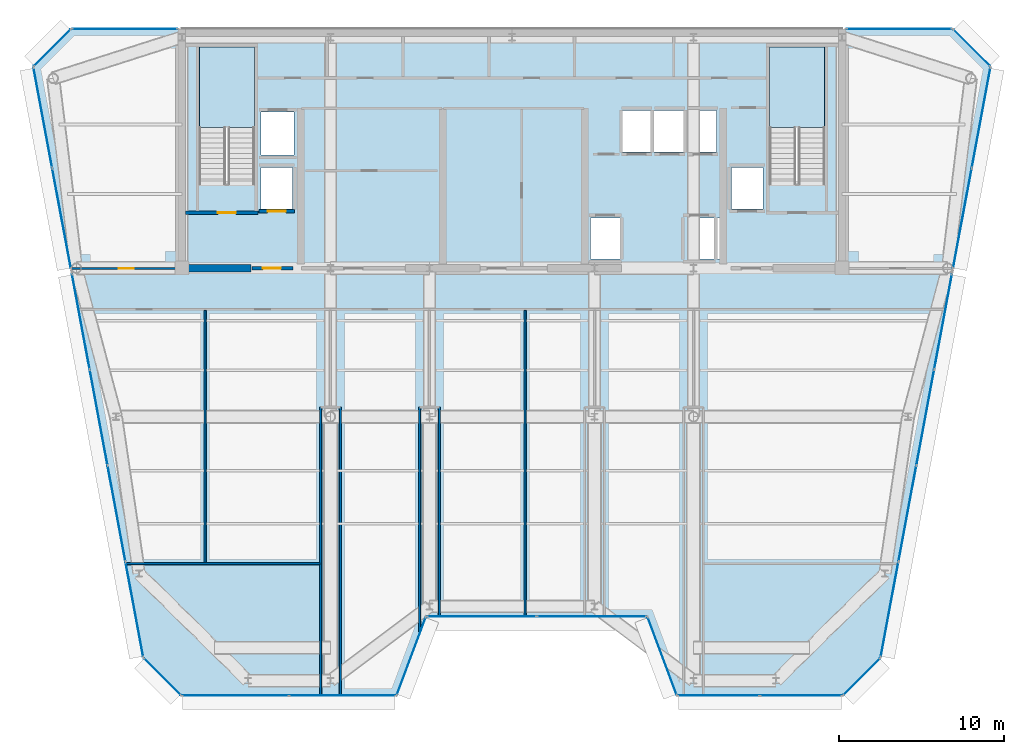
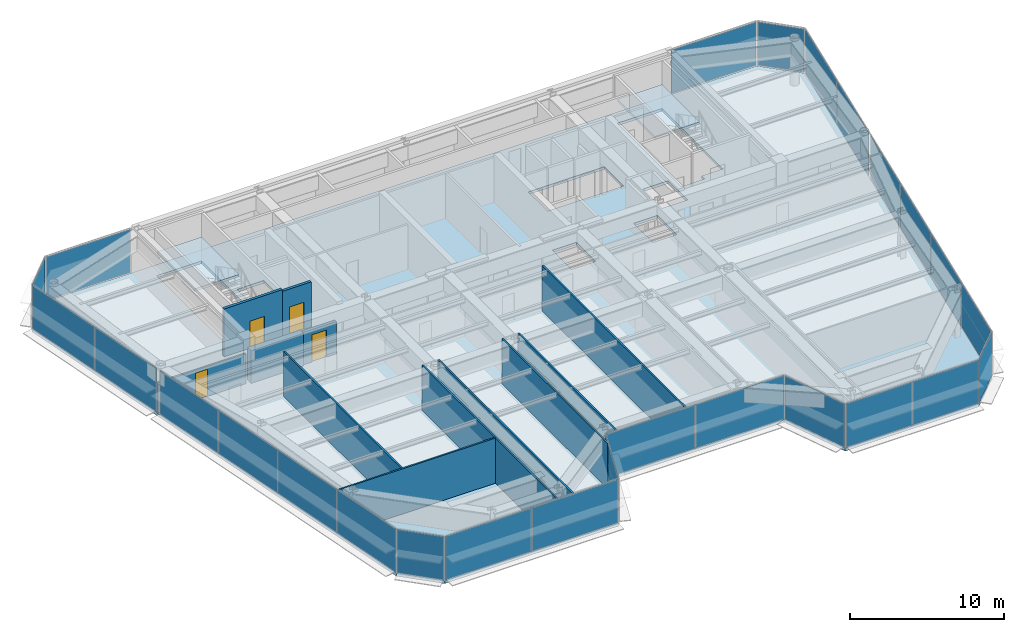
# One storey, part 9 of 18: 26 plates, 12 walls, 4 doors, 3 slabs, 4 openings, 17 elements without a shape of their own.
"""IFC4 building model written with IfcOpenShell, lengths in metres."""

from ifc_helpers import new_model, si_unit, direction, frame, frame_2d, origin, origin_2d, place, context, subcontext, project, spatial, polyline, rectangle, outline, extrude, source, transform, mapped, material, layer, layer_set, type_object, element, fill, aggregate, save


model = new_model("IFC4")

# Units and contexts
model_context = context("Model", 3, precision=1e-05, world=origin(), true_north=direction((0.0, 1.0)))
body_context = subcontext(model_context, "Body", "Model", "MODEL_VIEW")
ifc_project = project(units=[si_unit("LENGTHUNIT", "METRE"), si_unit("AREAUNIT", "SQUARE_METRE"), si_unit("VOLUMEUNIT", "CUBIC_METRE"), si_unit("PLANEANGLEUNIT", "RADIAN"), si_unit("MASSUNIT", "GRAM", prefix="KILO")], contexts=[model_context])

# Site, building, storey
site_placement = place(None, origin())
site = spatial("IfcSite", under=ifc_project, at=site_placement, CompositionType="ELEMENT")
building_placement = place(site_placement, origin())
building = spatial("IfcBuilding", under=site, at=building_placement, Name="Vaeldorn Concourse Tower", CompositionType="ELEMENT")
storey_placement = place(building_placement, frame((0.0, 0.0, 265.0)))
storey = spatial("IfcBuildingStorey", under=building, at=storey_placement, Name="L68", CompositionType="ELEMENT", Elevation=265.0)

# Stair, slab
ifc_material_1 = material(Name="Precast concrete C40/50", Category="concrete")
stair_type = type_object("IfcStairType", Name="STR-DOG-24x158", PredefinedType="HALF_TURN_STAIR", material=ifc_material_1)
stair_1_placement = place(storey_placement, origin())
stair_1 = element("IfcStair", 1, at=stair_1_placement, inside=storey, type_object=stair_type, Name="L68 West Core Exit Stair ST-1", PredefinedType="HALF_TURN_STAIR")
ifc_material_2 = material(Name="Concrete C40/50", Category="concrete")
ifc_layer_1 = layer(ifc_material_2, 0.199951171875)
ifc_layer_set_1 = layer_set([ifc_layer_1], Name="Concrete C40/50")
slab_type_1 = type_object("IfcSlabType", Name="SL-STAIR-LANDING", PredefinedType="LANDING", material=ifc_layer_set_1)
slab_1_placement = place(storey_placement, frame((0.0, 0.0, 1.699951171875)))
slab_1 = element("IfcSlab", 2, at=slab_1_placement, type_object=slab_type_1, Name="ST-1 landing 1", PredefinedType="LANDING", context=body_context, shape_type="SweptSolid", body=[
    extrude(outline(polyline([(18.39990234375, 45.010009765625), (18.39990234375, 49.89990234375), (15.050048828125, 49.89990234375), (15.050048828125, 45.010009765625), (18.39990234375, 45.010009765625)])), origin(), (0.0, 0.0, 1.0), 0.199951171875),
])
aggregate(stair_1, [slab_1])

stair_2_placement = place(storey_placement, origin())
stair_2 = element("IfcStair", 3, at=stair_2_placement, inside=storey, type_object=stair_type, Name="L68 East Core Exit Stair ST-2", PredefinedType="HALF_TURN_STAIR")
slab_2_placement = place(storey_placement, frame((0.0, 0.0, 1.699951171875)))
slab_2 = element("IfcSlab", 4, at=slab_2_placement, type_object=slab_type_1, Name="ST-2 landing 1", PredefinedType="LANDING", context=body_context, shape_type="SweptSolid", body=[
    extrude(outline(polyline([(52.949951171875, 45.010009765625), (52.949951171875, 49.89990234375), (49.60009765625, 49.89990234375), (49.60009765625, 45.010009765625), (52.949951171875, 45.010009765625)])), origin(), (0.0, 0.0, 1.0), 0.199951171875),
])
aggregate(stair_2, [slab_2])

# Slab
ifc_layer_2 = layer(ifc_material_2, 0.219970703125)
ifc_layer_set_2 = layer_set([ifc_layer_2], Name="Concrete C40/50")
slab_type_2 = type_object("IfcSlabType", Name="SL-TYP-220", PredefinedType="FLOOR", material=ifc_layer_set_2)
slab_3_placement = place(storey_placement, frame((0.0, 0.0, -0.219970703125)))
element("IfcSlab", 5, at=slab_3_placement, inside=storey, type_object=slab_type_2, Name="Structural Floor Slab L68", PredefinedType="FLOOR", context=body_context, shape_type="SweptSolid", body=[
    extrude(outline(polyline([(13.966064453125, 10.60009765625), (27.0, 10.60009765625), (28.800048828125, 15.39990234375), (42.199951171875, 15.39990234375), (44.0, 10.60009765625), (54.033935546875, 10.60009765625), (56.333984375, 12.89990234375), (63.0, 48.699951171875), (60.699951171875, 51.0), (7.300048828125, 51.0), (5.0, 48.699951171875), (11.666015625, 12.89990234375), (13.966064453125, 10.60009765625)]), holes=[polyline([(18.39990234375, 42.0), (18.39990234375, 49.89990234375), (15.050048828125, 49.89990234375), (15.050048828125, 41.60009765625), (16.800048828125, 41.60009765625), (16.800048828125, 42.0), (18.39990234375, 42.0)]), polyline([(52.949951171875, 42.0), (52.949951171875, 49.89990234375), (49.60009765625, 49.89990234375), (49.60009765625, 41.60009765625), (51.35009765625, 41.60009765625), (51.35009765625, 42.0), (52.949951171875, 42.0)]), polyline([(38.75, 37.050048828125), (40.550048828125, 37.050048828125), (40.550048828125, 39.550048828125), (38.75, 39.550048828125), (38.75, 37.050048828125)]), polyline([(44.85009765625, 37.050048828125), (46.64990234375, 37.050048828125), (46.64990234375, 39.550048828125), (44.85009765625, 39.550048828125), (44.85009765625, 37.050048828125)]), polyline([(40.699951171875, 43.550048828125), (46.39990234375, 43.550048828125), (46.39990234375, 46.050048828125), (40.699951171875, 46.050048828125), (40.699951171875, 43.550048828125)]), polyline([(18.800048828125, 43.35009765625), (20.800048828125, 43.35009765625), (20.800048828125, 45.949951171875), (18.800048828125, 45.949951171875), (18.800048828125, 43.35009765625)]), polyline([(18.800048828125, 40.10009765625), (20.699951171875, 40.10009765625), (20.699951171875, 42.60009765625), (18.800048828125, 42.60009765625), (18.800048828125, 40.10009765625)]), polyline([(47.300048828125, 40.10009765625), (49.199951171875, 40.10009765625), (49.199951171875, 42.60009765625), (47.300048828125, 42.60009765625), (47.300048828125, 40.10009765625)])]), origin(), (0.0, 0.0, 1.0), 0.219970703125),
])

# Curtain wall, plate
ifc_material_3 = material(Name="Anodised Bronze Aluminium", Category="aluminium")
ifc_layer_3 = layer(ifc_material_3, 0.179931640625)
ifc_layer_set_3 = layer_set([ifc_layer_3], Name="Anodised Bronze Aluminium")
curtain_wall_type = type_object("IfcCurtainWallType", Name="CW-SYS-05", PredefinedType="NOTDEFINED", material=ifc_layer_set_3)
curtain_wall_1_placement = place(storey_placement, origin())
curtain_wall_1 = element("IfcCurtainWall", 6, at=curtain_wall_1_placement, inside=storey, type_object=curtain_wall_type, Name="Unitised Curtain Wall CW-L68-E02-1", PredefinedType="NOTDEFINED")
ifc_material_4 = material(Name="Bronze Tinted Low-E Insulated Glass", Category="glass")
ifc_layer_4 = layer(ifc_material_4, 0.031982421875)
ifc_layer_set_4 = layer_set([ifc_layer_4], Name="Bronze Tinted Low-E Insulated Glass")
plate_type = type_object("IfcPlateType", Name="CWP-VISION-32", PredefinedType="CURTAIN_PANEL", material=ifc_layer_set_4)
shared_shape_1 = source(origin(), body_context, "Body", "SweptSolid", [
    extrude(rectangle(XDim=4.996337890625, YDim=0.031982421875, at=origin_2d()), origin(), (0.0, 0.0, 1.0), 3.449951171875),
])
plate_1_placement = place(storey_placement, frame((27.89990234375, 13.0, 0.06494140625), z_axis=(0.0, 0.0, 1.0), x_axis=(0.351123441595, 0.936329177566, 0.0)))
plate_1 = element("IfcPlate", 7, at=plate_1_placement, type_object=plate_type, Name="CW-05 panel 1.1", PredefinedType="CURTAIN_PANEL", context=body_context, shape_type="MappedRepresentation", body=[
    mapped(shared_shape_1, transform((0.0, 0.0, 0.0), scale=1.0)),
])
aggregate(curtain_wall_1, [plate_1])

curtain_wall_2_placement = place(storey_placement, origin())
curtain_wall_2 = element("IfcCurtainWall", 8, at=curtain_wall_2_placement, inside=storey, type_object=curtain_wall_type, Name="Unitised Curtain Wall CW-L68-E04-1", PredefinedType="NOTDEFINED")
plate_2_placement = place(storey_placement, frame((43.10009765625, 13.0, 0.06494140625), z_axis=(0.0, 0.0, 1.0), x_axis=(0.351123441595, -0.936329177566, 0.0)))
plate_2 = element("IfcPlate", 9, at=plate_2_placement, type_object=plate_type, Name="CW-05 panel 1.1", PredefinedType="CURTAIN_PANEL", context=body_context, shape_type="MappedRepresentation", body=[
    mapped(shared_shape_1, transform((0.0, 0.0, 0.0), scale=1.0)),
])
aggregate(curtain_wall_2, [plate_2])

# Curtain wall, plates
curtain_wall_3_placement = place(storey_placement, origin())
curtain_wall_3 = element("IfcCurtainWall", 10, at=curtain_wall_3_placement, inside=storey, type_object=curtain_wall_type, Name="Unitised Curtain Wall CW-L68-E03-1", PredefinedType="NOTDEFINED")
shared_shape_2 = source(origin(), body_context, "Body", "SweptSolid", [
    extrude(rectangle(XDim=6.6025390625, YDim=0.031982421875, at=origin_2d()), origin(), (0.0, 0.0, 1.0), 3.449951171875),
])
plate_3_placement = place(storey_placement, frame((32.166259765625, 15.39990234375, 0.06494140625), z_axis=(0.0, 0.0, 1.0), x_axis=(1.0, 0.0, 0.0)))
plate_3 = element("IfcPlate", 11, at=plate_3_placement, type_object=plate_type, Name="CW-05 panel 1.1", PredefinedType="CURTAIN_PANEL", context=body_context, shape_type="MappedRepresentation", body=[
    mapped(shared_shape_2, transform((0.0, 0.0, 0.0), scale=1.0)),
])
plate_4_placement = place(storey_placement, frame((38.833740234375, 15.39990234375, 0.06494140625), z_axis=(0.0, 0.0, 1.0), x_axis=(1.0, 0.0, 0.0)))
plate_4 = element("IfcPlate", 12, at=plate_4_placement, type_object=plate_type, Name="CW-05 panel 2.1", PredefinedType="CURTAIN_PANEL", context=body_context, shape_type="MappedRepresentation", body=[
    mapped(shared_shape_2, transform((0.0, 0.0, 0.0), scale=1.0)),
])
aggregate(curtain_wall_3, [plate_3, plate_4])

# Curtain wall, plate
curtain_wall_4_placement = place(storey_placement, origin())
curtain_wall_4 = element("IfcCurtainWall", 13, at=curtain_wall_4_placement, inside=storey, type_object=curtain_wall_type, Name="Unitised Curtain Wall CW-L68-E06-1", PredefinedType="NOTDEFINED")
shared_shape_3 = source(origin(), body_context, "Body", "SweptSolid", [
    extrude(rectangle(XDim=3.122802734375, YDim=0.031982421875, at=origin_2d()), origin(), (0.0, 0.0, 1.0), 3.449951171875),
])
plate_5_placement = place(storey_placement, frame((55.18408203125, 11.75, 0.06494140625), z_axis=(0.0, 0.0, 1.0), x_axis=(0.707106781187, 0.707106781187, 0.0)))
plate_5 = element("IfcPlate", 14, at=plate_5_placement, type_object=plate_type, Name="CW-05 panel 1.1", PredefinedType="CURTAIN_PANEL", context=body_context, shape_type="MappedRepresentation", body=[
    mapped(shared_shape_3, transform((0.0, 0.0, 0.0), scale=1.0)),
])
aggregate(curtain_wall_4, [plate_5])

curtain_wall_5_placement = place(storey_placement, origin())
curtain_wall_5 = element("IfcCurtainWall", 15, at=curtain_wall_5_placement, inside=storey, type_object=curtain_wall_type, Name="Unitised Curtain Wall CW-L68-E08-1", PredefinedType="NOTDEFINED")
plate_6_placement = place(storey_placement, frame((61.85009765625, 49.85009765625, 0.06494140625), z_axis=(0.0, 0.0, 1.0), x_axis=(-0.707106781187, 0.707106781187, 0.0)))
plate_6 = element("IfcPlate", 16, at=plate_6_placement, type_object=plate_type, Name="CW-05 panel 1.1", PredefinedType="CURTAIN_PANEL", context=body_context, shape_type="MappedRepresentation", body=[
    mapped(shared_shape_3, transform((0.0, 0.0, 0.0), scale=1.0)),
])
aggregate(curtain_wall_5, [plate_6])

curtain_wall_6_placement = place(storey_placement, origin())
curtain_wall_6 = element("IfcCurtainWall", 17, at=curtain_wall_6_placement, inside=storey, type_object=curtain_wall_type, Name="Unitised Curtain Wall CW-L68-E10-1", PredefinedType="NOTDEFINED")
plate_7_placement = place(storey_placement, frame((6.14990234375, 49.85009765625, 0.06494140625), z_axis=(0.0, 0.0, 1.0), x_axis=(-0.707106781187, -0.707106781187, 0.0)))
plate_7 = element("IfcPlate", 18, at=plate_7_placement, type_object=plate_type, Name="CW-05 panel 1.1", PredefinedType="CURTAIN_PANEL", context=body_context, shape_type="MappedRepresentation", body=[
    mapped(shared_shape_3, transform((0.0, 0.0, 0.0), scale=1.0)),
])
aggregate(curtain_wall_6, [plate_7])

curtain_wall_7_placement = place(storey_placement, origin())
curtain_wall_7 = element("IfcCurtainWall", 19, at=curtain_wall_7_placement, inside=storey, type_object=curtain_wall_type, Name="Unitised Curtain Wall CW-L68-E12-1", PredefinedType="NOTDEFINED")
plate_8_placement = place(storey_placement, frame((12.81591796875, 11.75, 0.06494140625), z_axis=(0.0, 0.0, 1.0), x_axis=(0.707106781187, -0.707106781187, 0.0)))
plate_8 = element("IfcPlate", 20, at=plate_8_placement, type_object=plate_type, Name="CW-05 panel 1.1", PredefinedType="CURTAIN_PANEL", context=body_context, shape_type="MappedRepresentation", body=[
    mapped(shared_shape_3, transform((0.0, 0.0, 0.0), scale=1.0)),
])
aggregate(curtain_wall_7, [plate_8])

# Curtain wall, plates
curtain_wall_8_placement = place(storey_placement, origin())
curtain_wall_8 = element("IfcCurtainWall", 21, at=curtain_wall_8_placement, inside=storey, type_object=curtain_wall_type, Name="Unitised Curtain Wall CW-L68-E07-1", PredefinedType="NOTDEFINED")
shared_shape_4 = source(origin(), body_context, "Body", "SweptSolid", [
    extrude(rectangle(XDim=5.82373046875, YDim=0.031982421875, at=origin_2d()), origin(), (0.0, 0.0, 1.0), 3.449951171875),
])
plate_9_placement = place(storey_placement, frame((56.87890625, 15.82666015625, 0.06494140625), z_axis=(0.0, 0.0, 1.0), x_axis=(0.18305510739, 0.983102653673, 0.0)))
plate_9 = element("IfcPlate", 22, at=plate_9_placement, type_object=plate_type, Name="CW-05 panel 1.1", PredefinedType="CURTAIN_PANEL", context=body_context, shape_type="MappedRepresentation", body=[
    mapped(shared_shape_4, transform((0.0, 0.0, 0.0), scale=1.0)),
])
plate_10_placement = place(storey_placement, frame((60.124755859375, 33.25830078125, 0.06494140625), z_axis=(0.0, 0.0, 1.0), x_axis=(0.18305510739, 0.983102653673, 0.0)))
plate_10 = element("IfcPlate", 23, at=plate_10_placement, type_object=plate_type, Name="CW-05 panel 4.1", PredefinedType="CURTAIN_PANEL", context=body_context, shape_type="MappedRepresentation", body=[
    mapped(shared_shape_4, transform((0.0, 0.0, 0.0), scale=1.0)),
])

curtain_wall_9_placement = place(storey_placement, origin())
curtain_wall_9 = element("IfcCurtainWall", 24, at=curtain_wall_9_placement, inside=storey, type_object=curtain_wall_type, Name="Unitised Curtain Wall CW-L68-E11-2", PredefinedType="NOTDEFINED")
plate_11_placement = place(storey_placement, frame((7.875244140625, 33.25830078125, 0.06494140625), z_axis=(0.0, 0.0, 1.0), x_axis=(0.18305510739, -0.983102653673, 0.0)))
plate_11 = element("IfcPlate", 25, at=plate_11_placement, type_object=plate_type, Name="CW-05 panel 1.1", PredefinedType="CURTAIN_PANEL", context=body_context, shape_type="MappedRepresentation", body=[
    mapped(shared_shape_4, transform((0.0, 0.0, 0.0), scale=1.0)),
])
plate_12_placement = place(storey_placement, frame((11.12109375, 15.82666015625, 0.06494140625), z_axis=(0.0, 0.0, 1.0), x_axis=(0.18305510739, -0.983102653673, 0.0)))
plate_12 = element("IfcPlate", 26, at=plate_12_placement, type_object=plate_type, Name="CW-05 panel 4.1", PredefinedType="CURTAIN_PANEL", context=body_context, shape_type="MappedRepresentation", body=[
    mapped(shared_shape_4, transform((0.0, 0.0, 0.0), scale=1.0)),
])

# Plate
shared_shape_5 = source(origin(), body_context, "Body", "SweptSolid", [
    extrude(rectangle(XDim=5.856201171875, YDim=0.031982421875, at=origin_2d()), origin(), (0.0, 0.0, 1.0), 3.449951171875),
])
plate_13_placement = place(storey_placement, frame((57.9599609375, 21.6318359375, 0.06494140625), z_axis=(0.0, 0.0, 1.0), x_axis=(0.18305510739, 0.983102653673, 0.0)))
plate_13 = element("IfcPlate", 27, at=plate_13_placement, type_object=plate_type, Name="CW-05 panel 2.1", PredefinedType="CURTAIN_PANEL", context=body_context, shape_type="MappedRepresentation", body=[
    mapped(shared_shape_5, transform((0.0, 0.0, 0.0), scale=1.0)),
])

plate_14_placement = place(storey_placement, frame((59.043701171875, 27.453125, 0.06494140625), z_axis=(0.0, 0.0, 1.0), x_axis=(0.18305510739, 0.983102653673, 0.0)))
plate_14 = element("IfcPlate", 28, at=plate_14_placement, type_object=plate_type, Name="CW-05 panel 3.1", PredefinedType="CURTAIN_PANEL", context=body_context, shape_type="MappedRepresentation", body=[
    mapped(shared_shape_5, transform((0.0, 0.0, 0.0), scale=1.0)),
])

aggregate(curtain_wall_8, [plate_9, plate_13, plate_14, plate_10])

plate_15_placement = place(storey_placement, frame((8.956298828125, 27.453125, 0.06494140625), z_axis=(0.0, 0.0, 1.0), x_axis=(0.18305510739, -0.983102653673, 0.0)))
plate_15 = element("IfcPlate", 29, at=plate_15_placement, type_object=plate_type, Name="CW-05 panel 2.1", PredefinedType="CURTAIN_PANEL", context=body_context, shape_type="MappedRepresentation", body=[
    mapped(shared_shape_5, transform((0.0, 0.0, 0.0), scale=1.0)),
])

plate_16_placement = place(storey_placement, frame((10.0400390625, 21.6318359375, 0.06494140625), z_axis=(0.0, 0.0, 1.0), x_axis=(0.18305510739, -0.983102653673, 0.0)))
plate_16 = element("IfcPlate", 30, at=plate_16_placement, type_object=plate_type, Name="CW-05 panel 3.1", PredefinedType="CURTAIN_PANEL", context=body_context, shape_type="MappedRepresentation", body=[
    mapped(shared_shape_5, transform((0.0, 0.0, 0.0), scale=1.0)),
])

aggregate(curtain_wall_9, [plate_11, plate_15, plate_16, plate_12])

# Curtain wall, plates
curtain_wall_10_placement = place(storey_placement, origin())
curtain_wall_10 = element("IfcCurtainWall", 31, at=curtain_wall_10_placement, inside=storey, type_object=curtain_wall_type, Name="Unitised Curtain Wall CW-L68-E07-2", PredefinedType="NOTDEFINED")
shared_shape_6 = source(origin(), body_context, "Body", "SweptSolid", [
    extrude(rectangle(XDim=6.143798828125, YDim=0.031982421875, at=origin_2d()), origin(), (0.0, 0.0, 1.0), 3.449951171875),
])
plate_17_placement = place(storey_placement, frame((61.289306640625, 39.51220703125, 0.06494140625), z_axis=(0.0, 0.0, 1.0), x_axis=(0.183054493257, 0.983102768025, 0.0)))
plate_17 = element("IfcPlate", 32, at=plate_17_placement, type_object=plate_type, Name="CW-05 panel 1.1", PredefinedType="CURTAIN_PANEL", context=body_context, shape_type="MappedRepresentation", body=[
    mapped(shared_shape_6, transform((0.0, 0.0, 0.0), scale=1.0)),
])
plate_18_placement = place(storey_placement, frame((62.42578125, 45.6162109375, 0.06494140625), z_axis=(0.0, 0.0, 1.0), x_axis=(0.183054493257, 0.983102768025, 0.0)))
plate_18 = element("IfcPlate", 33, at=plate_18_placement, type_object=plate_type, Name="CW-05 panel 2.1", PredefinedType="CURTAIN_PANEL", context=body_context, shape_type="MappedRepresentation", body=[
    mapped(shared_shape_6, transform((0.0, 0.0, 0.0), scale=1.0)),
])
aggregate(curtain_wall_10, [plate_17, plate_18])

curtain_wall_11_placement = place(storey_placement, origin())
curtain_wall_11 = element("IfcCurtainWall", 34, at=curtain_wall_11_placement, inside=storey, type_object=curtain_wall_type, Name="Unitised Curtain Wall CW-L68-E11-1", PredefinedType="NOTDEFINED")
plate_19_placement = place(storey_placement, frame((5.57421875, 45.6162109375, 0.06494140625), z_axis=(0.0, 0.0, 1.0), x_axis=(0.183054493257, -0.983102768025, 0.0)))
plate_19 = element("IfcPlate", 35, at=plate_19_placement, type_object=plate_type, Name="CW-05 panel 1.1", PredefinedType="CURTAIN_PANEL", context=body_context, shape_type="MappedRepresentation", body=[
    mapped(shared_shape_6, transform((0.0, 0.0, 0.0), scale=1.0)),
])
plate_20_placement = place(storey_placement, frame((6.710693359375, 39.51220703125, 0.06494140625), z_axis=(0.0, 0.0, 1.0), x_axis=(0.183054493257, -0.983102768025, 0.0)))
plate_20 = element("IfcPlate", 36, at=plate_20_placement, type_object=plate_type, Name="CW-05 panel 2.1", PredefinedType="CURTAIN_PANEL", context=body_context, shape_type="MappedRepresentation", body=[
    mapped(shared_shape_6, transform((0.0, 0.0, 0.0), scale=1.0)),
])
aggregate(curtain_wall_11, [plate_19, plate_20])

curtain_wall_12_placement = place(storey_placement, origin())
curtain_wall_12 = element("IfcCurtainWall", 37, at=curtain_wall_12_placement, inside=storey, type_object=curtain_wall_type, Name="Unitised Curtain Wall CW-L68-E01-1", PredefinedType="NOTDEFINED")
shared_shape_7 = source(origin(), body_context, "Body", "SweptSolid", [
    extrude(rectangle(XDim=6.41943359375, YDim=0.031982421875, at=origin_2d()), origin(), (0.0, 0.0, 1.0), 3.449951171875),
])
plate_21_placement = place(storey_placement, frame((17.24072265625, 10.60009765625, 0.06494140625), z_axis=(0.0, 0.0, 1.0), x_axis=(1.0, 0.0, 0.0)))
plate_21 = element("IfcPlate", 38, at=plate_21_placement, type_object=plate_type, Name="CW-05 panel 1.1", PredefinedType="CURTAIN_PANEL", context=body_context, shape_type="MappedRepresentation", body=[
    mapped(shared_shape_7, transform((0.0, 0.0, 0.0), scale=1.0)),
])
plate_22_placement = place(storey_placement, frame((23.725341796875, 10.60009765625, 0.06494140625), z_axis=(0.0, 0.0, 1.0), x_axis=(1.0, 0.0, 0.0)))
plate_22 = element("IfcPlate", 39, at=plate_22_placement, type_object=plate_type, Name="CW-05 panel 2.1", PredefinedType="CURTAIN_PANEL", context=body_context, shape_type="MappedRepresentation", body=[
    mapped(shared_shape_7, transform((0.0, 0.0, 0.0), scale=1.0)),
])
aggregate(curtain_wall_12, [plate_21, plate_22])

curtain_wall_13_placement = place(storey_placement, origin())
curtain_wall_13 = element("IfcCurtainWall", 40, at=curtain_wall_13_placement, inside=storey, type_object=curtain_wall_type, Name="Unitised Curtain Wall CW-L68-E05-1", PredefinedType="NOTDEFINED")
shared_shape_8 = source(origin(), body_context, "Body", "SweptSolid", [
    extrude(rectangle(XDim=4.91943359375, YDim=0.031982421875, at=origin_2d()), origin(), (0.0, 0.0, 1.0), 3.449951171875),
])
plate_23_placement = place(storey_placement, frame((46.524658203125, 10.60009765625, 0.06494140625), z_axis=(0.0, 0.0, 1.0), x_axis=(1.0, 0.0, 0.0)))
plate_23 = element("IfcPlate", 41, at=plate_23_placement, type_object=plate_type, Name="CW-05 panel 1.1", PredefinedType="CURTAIN_PANEL", context=body_context, shape_type="MappedRepresentation", body=[
    mapped(shared_shape_8, transform((0.0, 0.0, 0.0), scale=1.0)),
])
plate_24_placement = place(storey_placement, frame((51.50927734375, 10.60009765625, 0.06494140625), z_axis=(0.0, 0.0, 1.0), x_axis=(1.0, 0.0, 0.0)))
plate_24 = element("IfcPlate", 42, at=plate_24_placement, type_object=plate_type, Name="CW-05 panel 2.1", PredefinedType="CURTAIN_PANEL", context=body_context, shape_type="MappedRepresentation", body=[
    mapped(shared_shape_8, transform((0.0, 0.0, 0.0), scale=1.0)),
])
aggregate(curtain_wall_13, [plate_23, plate_24])

# Curtain wall, plate
curtain_wall_14_placement = place(storey_placement, origin())
curtain_wall_14 = element("IfcCurtainWall", 43, at=curtain_wall_14_placement, inside=storey, type_object=curtain_wall_type, Name="Unitised Curtain Wall CW-L68-E09-1", PredefinedType="NOTDEFINED")
shared_shape_9 = source(origin(), body_context, "Body", "SweptSolid", [
    extrude(rectangle(XDim=6.35009765625, YDim=0.031982421875, at=origin_2d()), origin(), (0.0, 0.0, 1.0), 3.449951171875),
])
plate_25_placement = place(storey_placement, frame((57.4599609375, 51.0, 0.06494140625), z_axis=(0.0, 0.0, 1.0), x_axis=(-1.0, 0.0, 0.0)))
plate_25 = element("IfcPlate", 44, at=plate_25_placement, type_object=plate_type, Name="CW-05 panel 1.1", PredefinedType="CURTAIN_PANEL", context=body_context, shape_type="MappedRepresentation", body=[
    mapped(shared_shape_9, transform((0.0, 0.0, 0.0), scale=1.0)),
])
aggregate(curtain_wall_14, [plate_25])

curtain_wall_15_placement = place(storey_placement, origin())
curtain_wall_15 = element("IfcCurtainWall", 45, at=curtain_wall_15_placement, inside=storey, type_object=curtain_wall_type, Name="Unitised Curtain Wall CW-L68-E09-2", PredefinedType="NOTDEFINED")
plate_26_placement = place(storey_placement, frame((10.5400390625, 51.0, 0.06494140625), z_axis=(0.0, 0.0, 1.0), x_axis=(-1.0, 0.0, 0.0)))
plate_26 = element("IfcPlate", 46, at=plate_26_placement, type_object=plate_type, Name="CW-05 panel 1.1", PredefinedType="CURTAIN_PANEL", context=body_context, shape_type="MappedRepresentation", body=[
    mapped(shared_shape_9, transform((0.0, 0.0, 0.0), scale=1.0)),
])
aggregate(curtain_wall_15, [plate_26])

# Wall
ifc_material_5 = material(Name="Concrete C50/60", Category="concrete")
ifc_layer_5 = layer(ifc_material_5, 0.449951171875)
ifc_layer_set_5 = layer_set([ifc_layer_5], Name="Concrete C50/60")
wall_type_1 = type_object("IfcWallType", Name="WL-CORE-450", PredefinedType="SHEAR", material=ifc_layer_set_5)
wall_1_placement = place(storey_placement, frame((14.2451171875, 36.5, 0.0), z_axis=(0.0, 0.0, 1.0), x_axis=(1.0, 0.0, 0.0)))
element("IfcWall", 47, at=wall_1_placement, inside=storey, type_object=wall_type_1, Name="Rear Core Shear Wall L68 S1", PredefinedType="SHEAR", context=body_context, shape_type="SweptSolid", body=[
    extrude(rectangle(XDim=3.954833984375, YDim=0.449951171875, at=frame_2d((1.9775390625, 0.0))), origin(), (0.0, 0.0, 1.0), 2.580078125),
])

# Wall, opening, door
ifc_material_6 = material(Name="Gypsum Board Partition", Category="gypsum")
ifc_layer_6 = layer(ifc_material_6, 0.1201171875)
ifc_layer_set_6 = layer_set([ifc_layer_6], Name="Gypsum Board Partition")
wall_type_2 = type_object("IfcWallType", Name="WL-PART-120", PredefinedType="PARTITIONING", material=ifc_layer_set_6)
wall_2_placement = place(storey_placement, frame((7.321044921875, 36.47998046875, 0.0), z_axis=(0.0, 0.0, 1.0), x_axis=(1.0, 0.0, 0.0)))
wall_2 = element("IfcWall", 48, at=wall_2_placement, inside=storey, type_object=wall_type_2, Name="Interior Wall PW-L68-NWS", PredefinedType="PARTITIONING", context=body_context, shape_type="SweptSolid", body=[
    extrude(rectangle(XDim=6.618896484375, YDim=0.1201171875, at=frame_2d((3.3095703125, 0.0))), origin(), (0.0, 0.0, 1.0), 2.3701171875),
])
opening_1_placement = place(wall_2_placement, frame((2.85888671875, 0.0, 0.0)))
opening_1 = element("IfcOpeningElement", 49, at=opening_1_placement, cuts=wall_2, Name="Opening D-03", PredefinedType="OPENING", context=body_context, shape_type="SweptSolid", body=[
    extrude(rectangle(XDim=0.89990234375, YDim=2.14990234375, at=frame_2d((0.449951171875, 1.074951171875))), frame((0.0, 0.070068359375, 0.0), z_axis=(0.0, -1.0, 0.0), x_axis=(1.0, 0.0, 0.0)), (0.0, 0.0, 1.0), 0.14013671875),
])
ifc_material_7 = material(Name="Acoustic Bronze-Framed Glass Door", Category="glass")
door_type_1 = type_object("IfcDoorType", Name="DR-INT-900", OperationType="NOTDEFINED", PredefinedType="DOOR", material=ifc_material_7)
shared_shape_10 = source(origin(), body_context, "Body", "SweptSolid", [
    extrude(rectangle(XDim=0.89990234375, YDim=2.14990234375, at=frame_2d((0.449951171875, 1.074951171875))), frame((0.0, 0.02490234375, 0.0), z_axis=(0.0, -1.0, 0.0), x_axis=(1.0, 0.0, 0.0)), (0.0, 0.0, 1.0), 0.050048828125),
])
door_1_placement = place(opening_1_placement, origin())
door_1 = element("IfcDoor", 50, at=door_1_placement, inside=storey, type_object=door_type_1, Name="Interior Door DR-L68-NWC", OperationType="SINGLE_SWING_LEFT", OverallHeight=2.14990234375, OverallWidth=0.89990234375, PredefinedType="DOOR", context=body_context, shape_type="MappedRepresentation", body=[
    mapped(shared_shape_10, transform((0.0, 0.0, 0.0), scale=1.0)),
])
fill(opening_1, door_1)

# Walls
wall_3_placement = place(storey_placement, frame((10.644775390625, 18.60009765625, 0.0), z_axis=(0.0, 0.0, 1.0), x_axis=(1.0, 0.0, 0.0)))
element("IfcWall", 51, at=wall_3_placement, inside=storey, type_object=wall_type_2, Name="Interior Wall PW-L68-FLW", PredefinedType="PARTITIONING", context=body_context, shape_type="SweptSolid", body=[
    extrude(rectangle(XDim=11.71533203125, YDim=0.1201171875, at=frame_2d((5.857666015625, 0.0))), origin(), (0.0, 0.0, 1.0), 3.580078125),
])
for number, where, z_axis, x_axis, name in (
    (52, (22.39990234375, 10.639892578125, 0.0), (0.0, 0.0, 1.0), (0.0, 1.0, 0.0), "Interior Wall PW-L68-SB1W"),
    (53, (23.60009765625, 10.639892578125, 0.0), (0.0, 0.0, 1.0), (0.0, 1.0, 0.0), "Interior Wall PW-L68-SB1E"),
):
    element("IfcWall", number, at=place(storey_placement, frame(where, z_axis=z_axis, x_axis=x_axis)), inside=storey, type_object=wall_type_2, Name=name, PredefinedType="PARTITIONING", context=body_context, shape_type="SweptSolid", body=[
        extrude(rectangle(XDim=17.440185546875, YDim=0.1201171875, at=frame_2d((8.72021484375, 0.0))), origin(), (0.0, 0.0, 1.0), 3.580078125),
    ])
wall_4_placement = place(storey_placement, frame((28.39990234375, 14.373291015625, 0.0), z_axis=(0.0, 0.0, 1.0), x_axis=(0.0, 1.0, 0.0)))
element("IfcWall", 54, at=wall_4_placement, inside=storey, type_object=wall_type_2, Name="Interior Wall PW-L68-SB2W", PredefinedType="PARTITIONING", context=body_context, shape_type="SweptSolid", body=[
    extrude(rectangle(XDim=13.706787109375, YDim=0.1201171875, at=frame_2d((6.853515625, 0.0))), origin(), (0.0, 0.0, 1.0), 3.580078125),
])
wall_5_placement = place(storey_placement, frame((29.60009765625, 15.43994140625, 0.0), z_axis=(0.0, 0.0, 1.0), x_axis=(0.0, 1.0, 0.0)))
element("IfcWall", 55, at=wall_5_placement, inside=storey, type_object=wall_type_2, Name="Interior Wall PW-L68-SB2E", PredefinedType="PARTITIONING", context=body_context, shape_type="SweptSolid", body=[
    extrude(rectangle(XDim=12.64013671875, YDim=0.1201171875, at=frame_2d((6.320068359375, 0.0))), origin(), (0.0, 0.0, 1.0), 3.580078125),
])
wall_6_placement = place(storey_placement, frame((15.39990234375, 18.639892578125, 0.0), z_axis=(0.0, 0.0, 1.0), x_axis=(0.0, 1.0, 0.0)))
element("IfcWall", 56, at=wall_6_placement, inside=storey, type_object=wall_type_2, Name="Interior Wall PW-L68-SBX1", PredefinedType="PARTITIONING", context=body_context, shape_type="SweptSolid", body=[
    extrude(rectangle(XDim=15.300048828125, YDim=0.1201171875, at=frame_2d((7.64990234375, 0.0))), origin(), (0.0, 0.0, 1.0), 3.580078125),
])
wall_7_placement = place(storey_placement, frame((34.800048828125, 15.43994140625, 0.0), z_axis=(0.0, 0.0, 1.0), x_axis=(0.0, 1.0, 0.0)))
element("IfcWall", 57, at=wall_7_placement, inside=storey, type_object=wall_type_2, Name="Interior Wall PW-L68-SBX4", PredefinedType="PARTITIONING", context=body_context, shape_type="SweptSolid", body=[
    extrude(rectangle(XDim=18.5, YDim=0.1201171875, at=frame_2d((9.25, 0.0))), origin(), (0.0, 0.0, 1.0), 3.580078125),
])

# Wall, opening, door
ifc_layer_7 = layer(ifc_material_5, 0.199951171875)
ifc_layer_set_7 = layer_set([ifc_layer_7], Name="Concrete C50/60")
wall_type_3 = type_object("IfcWallType", Name="WL-SHAFT-200", PredefinedType="SOLIDWALL", material=ifc_layer_set_7)
wall_8_placement = place(storey_placement, frame((14.22509765625, 39.85009765625, 0.0), z_axis=(0.0, 0.0, 1.0), x_axis=(1.0, 0.0, 0.0)))
wall_8 = element("IfcWall", 58, at=wall_8_placement, inside=storey, type_object=wall_type_3, Name="Stair Shaft Wall CW-L68-ST-1-S", PredefinedType="SOLIDWALL", context=body_context, shape_type="SweptSolid", body=[
    extrude(rectangle(XDim=4.375, YDim=0.199951171875, at=frame_2d((2.1875, 0.0))), origin(), (0.0, 0.0, 1.0), 3.800048828125),
])
opening_2_placement = place(wall_8_placement, frame((1.949951171875, 0.0, 0.0)))
opening_2 = element("IfcOpeningElement", 59, at=opening_2_placement, cuts=wall_8, Name="Opening D-01", PredefinedType="OPENING", context=body_context, shape_type="SweptSolid", body=[
    extrude(rectangle(XDim=1.10009765625, YDim=2.14990234375, at=frame_2d((0.550048828125, 1.074951171875))), frame((0.0, 0.10986328125, 0.0), z_axis=(0.0, -1.0, 0.0), x_axis=(1.0, 0.0, 0.0)), (0.0, 0.0, 1.0), 0.219970703125),
])
ifc_material_8 = material(Name="Fire-Rated Timber and Steel Leaf", Category="steel")
door_type_2 = type_object("IfcDoorType", Name="DR-FD60-1100", OperationType="NOTDEFINED", PredefinedType="DOOR", material=ifc_material_8)
shared_shape_11 = source(origin(), body_context, "Body", "SweptSolid", [
    extrude(rectangle(XDim=1.10009765625, YDim=2.14990234375, at=frame_2d((0.550048828125, 1.074951171875))), frame((0.0, 0.02490234375, 0.0), z_axis=(0.0, -1.0, 0.0), x_axis=(1.0, 0.0, 0.0)), (0.0, 0.0, 1.0), 0.050048828125),
])
door_2_placement = place(opening_2_placement, origin())
door_2 = element("IfcDoor", 60, at=door_2_placement, inside=storey, type_object=door_type_2, Name="Interior Door DR-L68-ST-1", OperationType="SINGLE_SWING_LEFT", OverallHeight=2.14990234375, OverallWidth=1.10009765625, PredefinedType="DOOR", context=body_context, shape_type="MappedRepresentation", body=[
    mapped(shared_shape_11, transform((0.0, 0.0, 0.0), scale=1.0)),
])
fill(opening_2, door_2)

wall_9_placement = place(storey_placement, frame((18.25, 36.5, 0.0), z_axis=(0.0, 0.0, 1.0), x_axis=(1.0, 0.0, 0.0)))
wall_9 = element("IfcWall", 61, at=wall_9_placement, inside=storey, type_object=wall_type_3, Name="Interior Wall CW-L68-FF1S", PredefinedType="SOLIDWALL", context=body_context, shape_type="SweptSolid", body=[
    extrude(rectangle(XDim=2.469970703125, YDim=0.199951171875, at=frame_2d((1.23486328125, 0.0))), origin(), (0.0, 0.0, 1.0), 2.570068359375),
])
opening_3_placement = place(wall_9_placement, frame((0.64990234375, 0.0, 0.0)))
opening_3 = element("IfcOpeningElement", 62, at=opening_3_placement, cuts=wall_9, Name="Opening D-01", PredefinedType="OPENING", context=body_context, shape_type="SweptSolid", body=[
    extrude(rectangle(XDim=1.10009765625, YDim=2.14990234375, at=frame_2d((0.550048828125, 1.074951171875))), frame((0.0, 0.10986328125, 0.0), z_axis=(0.0, -1.0, 0.0), x_axis=(1.0, 0.0, 0.0)), (0.0, 0.0, 1.0), 0.219970703125),
])
door_3_placement = place(opening_3_placement, origin())
door_3 = element("IfcDoor", 63, at=door_3_placement, inside=storey, type_object=door_type_2, Name="Interior Door DR-L68-FF1E", OperationType="SINGLE_SWING_RIGHT", OverallHeight=2.14990234375, OverallWidth=1.10009765625, PredefinedType="DOOR", context=body_context, shape_type="MappedRepresentation", body=[
    mapped(shared_shape_11, transform((0.0, 0.0, 0.0), scale=1.0)),
])
fill(opening_3, door_3)

wall_10_placement = place(storey_placement, frame((18.669921875, 39.949951171875, 0.0), z_axis=(0.0, 0.0, 1.0), x_axis=(1.0, 0.0, 0.0)))
wall_10 = element("IfcWall", 64, at=wall_10_placement, inside=storey, type_object=wall_type_3, Name="Interior Wall CW-L68-LF-LF-FF1", PredefinedType="SOLIDWALL", context=body_context, shape_type="SweptSolid", body=[
    extrude(rectangle(XDim=2.16015625, YDim=0.199951171875, at=frame_2d((1.080078125, 0.0))), origin(), (0.0, 0.0, 1.0), 3.580078125),
])
opening_4_placement = place(wall_10_placement, frame((0.530029296875, 0.0, 0.0)))
opening_4 = element("IfcOpeningElement", 65, at=opening_4_placement, cuts=wall_10, Name="Opening LD-1", PredefinedType="OPENING", context=body_context, shape_type="SweptSolid", body=[
    extrude(rectangle(XDim=1.10009765625, YDim=2.14990234375, at=frame_2d((0.550048828125, 1.074951171875))), frame((0.0, 0.10986328125, 0.0), z_axis=(0.0, -1.0, 0.0), x_axis=(1.0, 0.0, 0.0)), (0.0, 0.0, 1.0), 0.219970703125),
])
door_type_3 = type_object("IfcDoorType", Name="DR-LIFT-SLIDE-1100", OperationType="DOUBLE_DOOR_SLIDING", PredefinedType="DOOR", material=ifc_material_3)
door_4_placement = place(opening_4_placement, origin())
door_4 = element("IfcDoor", 66, at=door_4_placement, inside=storey, type_object=door_type_3, Name="Lift Landing Door LD-L68-LF-FF1", OperationType="DOUBLE_DOOR_SLIDING", OverallHeight=2.14990234375, OverallWidth=1.10009765625, PredefinedType="DOOR", context=body_context, shape_type="MappedRepresentation", body=[
    mapped(shared_shape_11, transform((0.0, 0.0, 0.0), scale=1.0)),
])
fill(opening_4, door_4)

save(model, "model.ifc")
